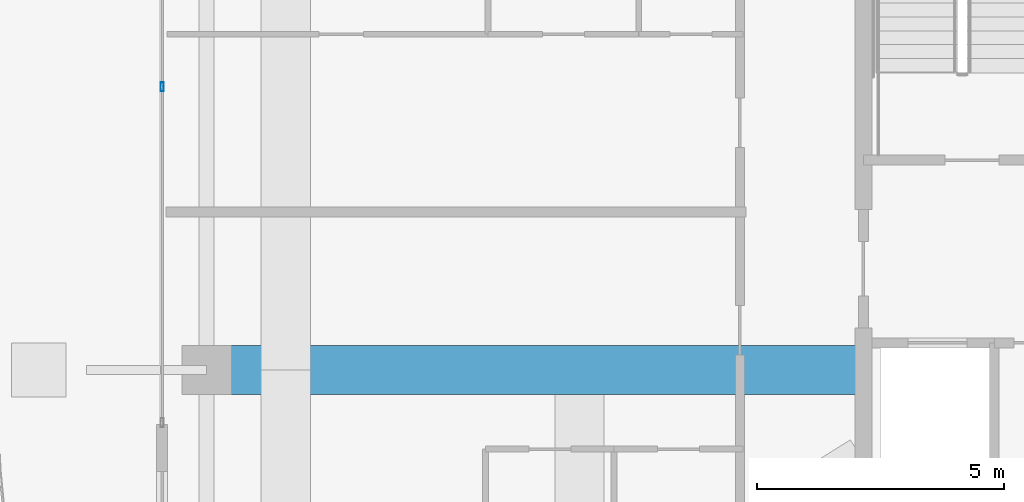
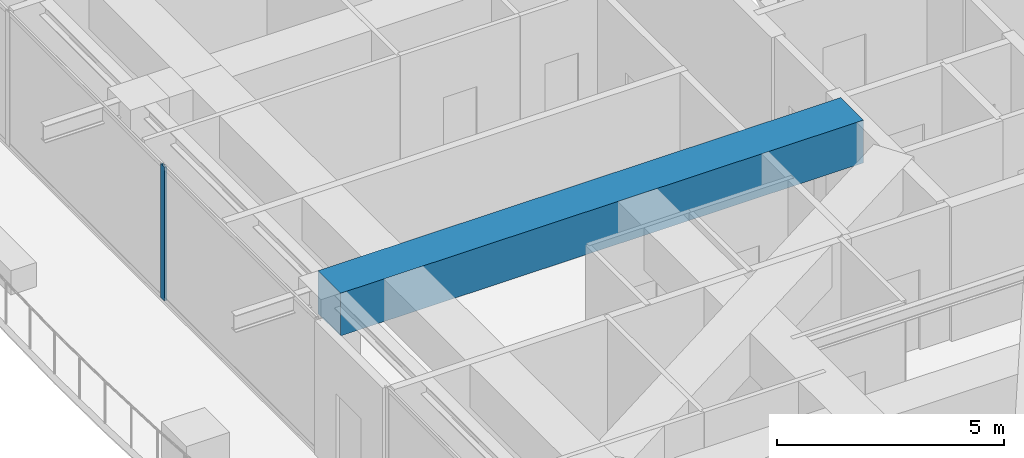
# One storey, part 10 of 40: 1 beam, 1 member, 1 element without a shape of its own.
"""IFC4 building model written with IfcOpenShell, lengths in metres."""

import ifcopenshell
import ifcopenshell.guid

model = None  # the IFC model being written
_history = None  # IfcOwnerHistory: only IFC2X3 demands one
_inside = {}  # id of a spatial element -> (the spatial element, [elements in it])
_under = {}  # id of a project, library or spatial element -> (it, [spatial elements below it])
_declared = {}  # id of a project -> (the project, [libraries it declares])
_typed = {}  # id of a type object -> (the type object, [elements of that type])
_made_of = {}  # id of a material, layer set ... -> (it, [elements and type objects made of it])


def new_model(schema):
    """Start an empty IFC model of exactly this schema.

    Asked for "IFC4X3", IfcOpenShell would pick the latest addendum, in which some entities
    have other attributes; the version numbers below select the first issue.
    IFC2X3 requires an IfcOwnerHistory on every rooted entity: one is made here for all.
    """
    global model, _history
    if schema == "IFC4X3":
        model = ifcopenshell.file(schema_version=(4, 3, 0, 0))
    else:
        model = ifcopenshell.file(schema=schema)
    _inside.clear()
    _under.clear()
    _declared.clear()
    _typed.clear()
    _made_of.clear()
    _history = None
    if model.schema == "IFC2X3":
        org = make("IfcOrganization", Name="unknown")
        user = make(
            "IfcPersonAndOrganization",
            ThePerson=make("IfcPerson", FamilyName="unknown"),
            TheOrganization=org,
        )
        app = make(
            "IfcApplication",
            ApplicationDeveloper=org,
            Version="unknown",
            ApplicationFullName="unknown",
            ApplicationIdentifier="unknown",
        )
        _history = make(
            "IfcOwnerHistory",
            OwningUser=user,
            OwningApplication=app,
            ChangeAction="ADDED",
            CreationDate=0,
        )
    return model


def make(cls, **values):
    """One entity of the class cls with the attributes given. An attribute that is None is left unset."""
    return model.create_entity(
        cls, **{name: value for name, value in values.items() if value is not None}
    )


def rooted(cls, **values):
    """An entity with a GlobalId (a new one), such as an element, a storey or a relation."""
    return make(cls, GlobalId=ifcopenshell.guid.new(), OwnerHistory=_history, **values)


def si_unit(unit_type, name, prefix=None):
    """IfcSIUnit, for example si_unit("LENGTHUNIT", "METRE", prefix="MILLI")."""
    return make("IfcSIUnit", UnitType=unit_type, Prefix=prefix, Name=name)


def assignment(units):
    """IfcUnitAssignment: the units of a project."""
    return None if units is None else make("IfcUnitAssignment", Units=units)


def point(xyz):
    """IfcCartesianPoint."""
    return None if xyz is None else make("IfcCartesianPoint", Coordinates=xyz)


def direction(xyz):
    """IfcDirection."""
    return None if xyz is None else make("IfcDirection", DirectionRatios=xyz)


def frame(location, z_axis=None, x_axis=None):
    """IfcAxis2Placement3D, a coordinate frame: its origin and axes. An axis left out is left unset."""
    return make(
        "IfcAxis2Placement3D",
        Location=point(location),
        Axis=direction(z_axis),
        RefDirection=direction(x_axis),
    )


def frame_2d(location, x_axis=None):
    """IfcAxis2Placement2D, a coordinate frame in the plane: its origin and x axis."""
    return make(
        "IfcAxis2Placement2D", Location=point(location), RefDirection=direction(x_axis)
    )


def origin():
    """The frame at (0, 0, 0) with its axes left unset."""
    return frame((0.0, 0.0, 0.0))


def origin_2d():
    """The frame at (0, 0) in the plane with its x axis left unset."""
    return frame_2d((0.0, 0.0))


def place(relative_to, where):
    """IfcLocalPlacement: puts the frame where relative to a parent placement (None: the world)."""
    return make(
        "IfcLocalPlacement", PlacementRelTo=relative_to, RelativePlacement=where
    )


def context(
    kind, dimensions, precision=None, world=None, true_north=None, identifier=None
):
    """IfcGeometricRepresentationContext, for example the 3D "Model" context."""
    return make(
        "IfcGeometricRepresentationContext",
        ContextIdentifier=identifier,
        ContextType=kind,
        CoordinateSpaceDimension=dimensions,
        Precision=precision,
        WorldCoordinateSystem=world,
        TrueNorth=true_north,
    )


def subcontext(parent, identifier, kind, view, scale=None):
    """IfcGeometricRepresentationSubContext, for example "Body" below "Model"."""
    return make(
        "IfcGeometricRepresentationSubContext",
        ContextIdentifier=identifier,
        ContextType=kind,
        ParentContext=parent,
        TargetScale=scale,
        TargetView=view,
    )


def project(units=None, contexts=None):
    """IfcProject with its units and contexts."""
    return rooted(
        "IfcProject",
        Name="project",
        RepresentationContexts=contexts,
        UnitsInContext=assignment(units),
    )


def spatial(cls, under=None, at=None, **own):
    """A site, building, storey or space (cls), placed at a placement, below another one or the project."""
    s = rooted(cls, ObjectPlacement=at, **own)
    if under is not None:
        _under.setdefault(under.id(), (under, []))[1].append(s)
    return s


def profile(cls, at=None, kind="AREA", **sizes):
    """A parametric profile (cls). Its sizes go by their IFC names, for example OverallWidth=200.0."""
    return make(cls, ProfileType=kind, Position=at, **sizes)


def rectangle(**sizes):
    """IfcRectangleProfileDef."""
    return profile("IfcRectangleProfileDef", **sizes)


def hollow_rectangle(**sizes):
    """IfcRectangleHollowProfileDef."""
    return profile("IfcRectangleHollowProfileDef", **sizes)


def extrude(swept, where, along, depth):
    """IfcExtrudedAreaSolid: the profile swept, set in the frame where, extruded along a direction by depth."""
    return make(
        "IfcExtrudedAreaSolid",
        SweptArea=swept,
        Position=where,
        ExtrudedDirection=direction(along),
        Depth=depth,
    )


def shape(context_of_items, identifier, shape_type, items):
    """IfcShapeRepresentation: the items that make up one representation, for example the "Body"."""
    return make(
        "IfcShapeRepresentation",
        ContextOfItems=context_of_items,
        RepresentationIdentifier=identifier,
        RepresentationType=shape_type,
        Items=items,
    )


def source(mapping_origin, context_of_items, identifier, shape_type, items):
    """IfcRepresentationMap: a shape defined once, which mapped items show again and again."""
    return make(
        "IfcRepresentationMap",
        MappingOrigin=mapping_origin,
        MappedRepresentation=shape(context_of_items, identifier, shape_type, items),
    )


def transform(
    local_origin,
    x_axis=None,
    y_axis=None,
    z_axis=None,
    scale=None,
    scale2=None,
    scale3=None,
    uniform=True,
):
    """IfcCartesianTransformationOperator3D, or its non-uniform kind. x_axis, y_axis, z_axis: its Axis1, 2, 3."""
    if uniform:
        return make(
            "IfcCartesianTransformationOperator3D",
            Axis1=direction(x_axis),
            Axis2=direction(y_axis),
            LocalOrigin=point(local_origin),
            Scale=scale,
            Axis3=direction(z_axis),
        )
    return make(
        "IfcCartesianTransformationOperator3DnonUniform",
        Axis1=direction(x_axis),
        Axis2=direction(y_axis),
        LocalOrigin=point(local_origin),
        Scale=scale,
        Axis3=direction(z_axis),
        Scale2=scale2,
        Scale3=scale3,
    )


def mapped(mapping_source, mapping_target):
    """IfcMappedItem: shows the shape of a source again, moved by a transform."""
    return make(
        "IfcMappedItem", MappingSource=mapping_source, MappingTarget=mapping_target
    )


def material(Name=None, Category=None):
    """IfcMaterial."""
    return make("IfcMaterial", Name=Name, Category=Category)


def layer(
    of_material, thickness, ventilated=None, Name=None, Category=None, Priority=None
):
    """IfcMaterialLayer: one layer of a wall or slab, of a material (None: an air gap)."""
    return make(
        "IfcMaterialLayer",
        Material=of_material,
        LayerThickness=thickness,
        IsVentilated=ventilated,
        Name=Name,
        Category=Category,
        Priority=Priority,
    )


def layer_set(layers, Name=None):
    """IfcMaterialLayerSet."""
    return make("IfcMaterialLayerSet", MaterialLayers=layers, LayerSetName=Name)


def material_profile(
    of_material, cross_section, Name=None, Category=None, Priority=None
):
    """IfcMaterialProfile: a cross section and its material."""
    return make(
        "IfcMaterialProfile",
        Name=Name,
        Material=of_material,
        Profile=cross_section,
        Priority=Priority,
        Category=Category,
    )


def profile_set(profiles, Name=None, composite=None):
    """IfcMaterialProfileSet."""
    return make(
        "IfcMaterialProfileSet",
        Name=Name,
        MaterialProfiles=profiles,
        CompositeProfile=composite,
    )


def made_of(thing, what):
    """Note that an element or type object is made of a material, layer set ...; save() writes the relation."""
    if what is not None:
        _made_of.setdefault(what.id(), (what, []))[1].append(thing)
    return thing


def type_object(cls, material=None, **own):
    """A type object (cls), such as IfcWallType, which elements share."""
    return made_of(rooted(cls, **own), material)


def element(
    cls,
    number,
    at=None,
    inside=None,
    cuts=None,
    type_object=None,
    material=None,
    context=None,
    identifier="Body",
    shape_type=None,
    held_by="IfcProductDefinitionShape",
    body=None,
    shapes=None,
    **own,
):
    """One element of the class cls, such as IfcWall. Its Tag is "e" and its number.

    at: its placement. inside: the storey or other place that contains it. cuts: it is an
    opening in that element (IfcRelVoidsElement). A single representation is given by context,
    identifier, shape_type and body (its items); several are given by shapes. held_by: the class
    of the entity that holds the representations. save() writes the other relations.
    """
    e = rooted(cls, Tag="e%d" % number, ObjectPlacement=at, **own)
    if body is not None:
        shapes = [shape(context, identifier, shape_type, body)]
    if shapes is not None:
        e.Representation = make(held_by, Representations=shapes)
    if inside is not None:
        _inside.setdefault(inside.id(), (inside, []))[1].append(e)
    if cuts is not None:
        rooted(
            "IfcRelVoidsElement", RelatingBuildingElement=cuts, RelatedOpeningElement=e
        )
    if type_object is not None:
        _typed.setdefault(type_object.id(), (type_object, []))[1].append(e)
    return made_of(e, material)


def aggregate(whole, parts):
    """IfcRelAggregates: a whole, such as a stair, and the parts it consists of."""
    return rooted("IfcRelAggregates", RelatingObject=whole, RelatedObjects=parts)


def save(model, path):
    """Write the relations noted so far, then the file.

    IfcRelAggregates (storeys below a building ...), IfcRelContainedInSpatialStructure (elements
    in a storey), IfcRelDefinesByType, IfcRelAssociatesMaterial and IfcRelDeclares: one each for
    every whole, place, type object, material and project.
    """
    for whole, parts in _under.values():
        aggregate(whole, parts)
    for where, things in _inside.values():
        rooted(
            "IfcRelContainedInSpatialStructure",
            RelatedElements=things,
            RelatingStructure=where,
        )
    for kind, things in _typed.values():
        rooted("IfcRelDefinesByType", RelatedObjects=things, RelatingType=kind)
    for what, things in _made_of.values():
        rooted("IfcRelAssociatesMaterial", RelatedObjects=things, RelatingMaterial=what)
    for by, libraries in _declared.values():
        rooted("IfcRelDeclares", RelatingContext=by, RelatedDefinitions=libraries)
    model.write(path)


model = new_model("IFC4")

# Units and contexts
model_context = context("Model", 3, precision=1e-05, world=origin(), true_north=direction((0.0, 1.0)))
body_context = subcontext(model_context, "Body", "Model", "MODEL_VIEW")
ifc_project = project(units=[si_unit("LENGTHUNIT", "METRE"), si_unit("AREAUNIT", "SQUARE_METRE"), si_unit("VOLUMEUNIT", "CUBIC_METRE"), si_unit("PLANEANGLEUNIT", "RADIAN"), si_unit("MASSUNIT", "GRAM", prefix="KILO")], contexts=[model_context])

# Site, building, storey
site_placement = place(None, origin())
site = spatial("IfcSite", under=ifc_project, at=site_placement, CompositionType="ELEMENT")
building_placement = place(site_placement, origin())
building = spatial("IfcBuilding", under=site, at=building_placement, Name="Serunith Strait Residences", CompositionType="ELEMENT")
storey_placement = place(building_placement, frame((0.0, 0.0, 333.949951171875)))
storey = spatial("IfcBuildingStorey", under=building, at=storey_placement, Name="L83", CompositionType="ELEMENT", Elevation=333.949951171875)

# Beam
ifc_material_1 = material(Name="Concrete C80/95", Category="concrete")
ifc_material_profile_1 = material_profile(ifc_material_1, rectangle(XDim=1.0, YDim=1.14990234375, at=origin_2d()), Name="RC 1000x1150")
ifc_profile_set_1 = profile_set([ifc_material_profile_1], Name="Concrete C80/95")
beam_type = type_object("IfcBeamType", Name="BM-XFER-1000x1150", PredefinedType="BEAM", material=ifc_profile_set_1)
shared_shape_1 = source(origin(), body_context, "Body", "SweptSolid", [
    extrude(rectangle(XDim=1.0, YDim=1.14990234375, at=origin_2d()), origin(), (0.0, 0.0, 1.0), 13.2998046875),
])
beam_placement = place(storey_placement, frame((23.39990234375, 21.0, 3.03515625), z_axis=(-1.0, 0.0, 0.0), x_axis=(0.0, -1.0, 0.0)))
element("IfcBeam", 1, at=beam_placement, inside=storey, type_object=beam_type, Name="L83 Primary Floor Girder TC-W2", PredefinedType="BEAM", context=body_context, shape_type="MappedRepresentation", body=[
    mapped(shared_shape_1, transform((0.0, 0.0, 0.0), scale=1.0)),
])

# Curtain wall, member
ifc_material_2 = material(Name="Brushed Stainless-Silver Aluminium", Category="aluminium")
ifc_layer = layer(ifc_material_2, 0.199951171875, Name="Brushed Stainless-Silver Aluminium")
ifc_layer_set = layer_set([ifc_layer], Name="Brushed Stainless-Silver Aluminium")
curtain_wall_type = type_object("IfcCurtainWallType", Name="CW-SYS5", PredefinedType="NOTDEFINED", material=ifc_layer_set)
curtain_wall_placement = place(storey_placement, origin())
curtain_wall = element("IfcCurtainWall", 2, at=curtain_wall_placement, inside=storey, type_object=curtain_wall_type, Name="L83 W Unitised Fritted Curtain Wall", PredefinedType="NOTDEFINED")
ifc_material_profile_2 = material_profile(ifc_material_2, hollow_rectangle(XDim=0.06494140625, YDim=0.179931640625, WallThickness=0.00341796875, InnerFilletRadius=0.00537109375, OuterFilletRadius=0.0087890625, at=origin_2d()), Name="ALU 180x65x3.5")
ifc_profile_set_2 = profile_set([ifc_material_profile_2], Name="Brushed Stainless-Silver Aluminium")
member_type = type_object("IfcMemberType", Name="CW-SYS5-MULL", PredefinedType="MULLION", material=ifc_profile_set_2)
shared_shape_2 = source(origin(), body_context, "Body", "SweptSolid", [
    extrude(hollow_rectangle(XDim=0.06494140625, YDim=0.179931640625, WallThickness=0.00341796875, InnerFilletRadius=0.00537109375, OuterFilletRadius=0.0087890625, at=origin_2d()), origin(), (0.0, 0.0, 1.0), 3.594970703125),
])
member_placement = place(storey_placement, frame((9.199951171875, 26.7333984375, 0.0), z_axis=(0.0, 0.0, 1.0), x_axis=(1.0, 0.0, 0.0)))
member = element("IfcMember", 3, at=member_placement, type_object=member_type, Name="CW-5 mullion 3", PredefinedType="MULLION", context=body_context, shape_type="MappedRepresentation", body=[
    mapped(shared_shape_2, transform((0.0, 0.0, 0.0), scale=1.0)),
])
aggregate(curtain_wall, [member])

save(model, "model.ifc")
